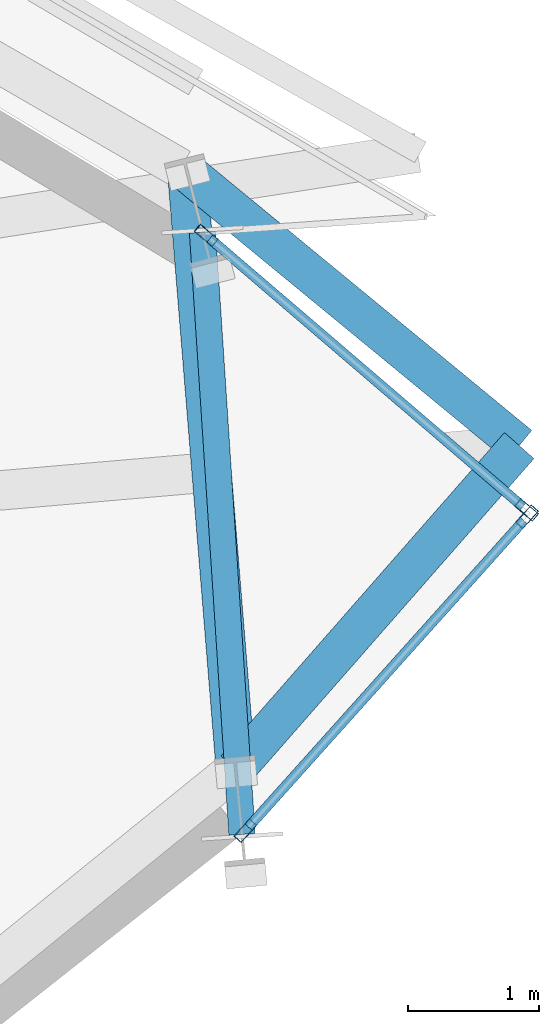
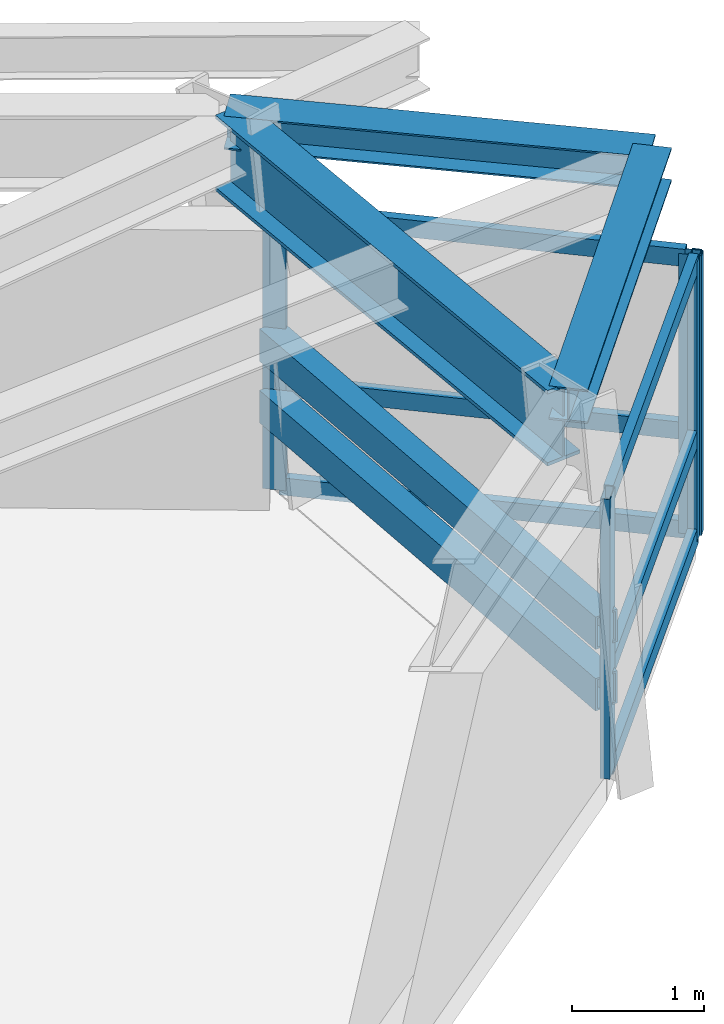
# One storey, part 8 of 22: 12 members, 3 beams, 2 elements without a shape of their own.
"""IFC4 building model written with IfcOpenShell, lengths in metres."""

from ifc_helpers import new_model, si_unit, direction, frame, origin, origin_2d, place, context, subcontext, project, spatial, hollow_rectangle, i_section, extrude, source, transform, mapped, material, material_profile, profile_set, type_object, element, aggregate, save


model = new_model("IFC4")

# Units and contexts
model_context = context("Model", 3, precision=1e-05, world=origin(), true_north=direction((0.0, 1.0)))
body_context = subcontext(model_context, "Body", "Model", "MODEL_VIEW")
ifc_project = project(units=[si_unit("LENGTHUNIT", "METRE"), si_unit("AREAUNIT", "SQUARE_METRE"), si_unit("VOLUMEUNIT", "CUBIC_METRE"), si_unit("PLANEANGLEUNIT", "RADIAN"), si_unit("MASSUNIT", "GRAM", prefix="KILO")], contexts=[model_context])

# Site, building, storey
site_placement = place(None, origin())
site = spatial("IfcSite", under=ifc_project, at=site_placement, CompositionType="ELEMENT")
building_placement = place(site_placement, origin())
building = spatial("IfcBuilding", under=site, at=building_placement, Name="Olszyna Solenne Hotel", CompositionType="ELEMENT")
storey_placement = place(building_placement, frame((0.0, 0.0, 50.60009765625)))
storey = spatial("IfcBuildingStorey", under=building, at=storey_placement, Name="L12", CompositionType="ELEMENT", Elevation=50.60009765625)

# Beams
ifc_material_1 = material(Name="Steel S355J2", Category="steel")
ifc_material_profile_1 = material_profile(ifc_material_1, i_section(OverallWidth=0.300048828125, OverallDepth=0.699951171875, WebThickness=0.01708984375, FlangeThickness=0.031982421875, at=origin_2d()), Name="HEB 700", Category="load-bearing")
ifc_profile_set_1 = profile_set([ifc_material_profile_1], Name="Steel S355J2")
beam_type_1 = type_object("IfcBeamType", Name="BM-S1", PredefinedType="BEAM", material=ifc_profile_set_1)
shared_shape_1 = source(origin(), body_context, "Body", "SweptSolid", [
    extrude(i_section(OverallWidth=0.300048828125, OverallDepth=0.699951171875, WebThickness=0.01708984375, FlangeThickness=0.031982421875, at=origin_2d()), origin(), (0.0, 0.0, 1.0), 4.434814453125),
])
beam_placement = place(storey_placement, frame((68.744140625, 27.046142578125, 2.949951171875), z_axis=(-0.081090803399, 0.996706717949, 0.0), x_axis=(-0.996706717949, -0.081090803399, 0.0)))
element("IfcBeam", 1, at=beam_placement, inside=storey, type_object=beam_type_1, Name="Perimeter spandrel beam BM-S1 B-L12-0377", PredefinedType="BEAM", context=body_context, shape_type="MappedRepresentation", body=[
    mapped(shared_shape_1, transform((0.0, 0.0, 0.0), x_axis=(1.0, 0.0, 0.0), y_axis=(0.0, 1.0, 0.0), z_axis=(0.0, 0.0, 1.0), scale=1.0)),
])
ifc_material_profile_2 = material_profile(ifc_material_1, i_section(OverallWidth=0.300048828125, OverallDepth=0.31005859375, WebThickness=0.009033203125, FlangeThickness=0.015380859375, at=origin_2d()), Name="HEA 320", Category="load-bearing")
ifc_profile_set_2 = profile_set([ifc_material_profile_2], Name="Steel S355J2")
beam_type_2 = type_object("IfcBeamType", Name="BM-G3", PredefinedType="BEAM", material=ifc_profile_set_2)
shared_shape_2 = source(origin(), body_context, "Body", "SweptSolid", [
    extrude(i_section(OverallWidth=0.300048828125, OverallDepth=0.31005859375, WebThickness=0.009033203125, FlangeThickness=0.015380859375, at=origin_2d()), origin(), (0.0, 0.0, 1.0), 3.2724609375),
])
for number, where, z_axis, x_axis, name in (
    (2, (68.7490234375, 26.986328125, 3.14501953125), (0.659296523032, 0.751883032604, 0.0), (-0.751883032604, 0.659296523032, 0.0), "Prism side edge beam BM-G3 B-L12-0398"),
    (3, (68.379638671875, 31.526123046875, 3.14501953125), (0.772169227006, -0.635416937817, 0.0), (0.635416937817, 0.772169227006, 0.0), "Prism side edge beam BM-G3 B-L12-0399"),
):
    element("IfcBeam", number, at=place(storey_placement, frame(where, z_axis=z_axis, x_axis=x_axis)), inside=storey, type_object=beam_type_2, Name=name, PredefinedType="BEAM", context=body_context, shape_type="MappedRepresentation", body=[
        mapped(shared_shape_2, transform((0.0, 0.0, 0.0), x_axis=(1.0, 0.0, 0.0), y_axis=(0.0, 1.0, 0.0), z_axis=(0.0, 0.0, 1.0), scale=1.0)),
    ])

# Members
ifc_material_profile_3 = material_profile(ifc_material_1, hollow_rectangle(XDim=0.199951171875, YDim=0.300048828125, WallThickness=0.01611328125, at=origin_2d()), Name="RHS 300x200x16", Category="load-bearing")
ifc_profile_set_3 = profile_set([ifc_material_profile_3], Name="Steel S355J2")
member_type_1 = type_object("IfcMemberType", Name="CH-PR1", PredefinedType="CHORD", material=ifc_profile_set_3)
shared_shape_3 = source(origin(), body_context, "Body", "SweptSolid", [
    extrude(hollow_rectangle(XDim=0.199951171875, YDim=0.300048828125, WallThickness=0.01611328125, at=origin_2d()), origin(), (0.0, 0.0, 1.0), 4.593017578125),
])
for number, where, z_axis, x_axis, name in (
    (4, (68.79638671875, 26.487548828125, 1.349853515625), (-0.065432374917, 0.997857005945, 0.0), (-0.997857005945, -0.065432374917, 0.0), "Glass-prism tie chord CH-PR1 M-L12-PR1"),
    (5, (68.79638671875, 26.487548828125, 0.77978515625), (-0.065432374917, 0.997857005945, 0.0), (-0.997857005945, -0.065432374917, 0.0), "Glass-prism tie chord CH-PR1 M-L12-PR2"),
):
    element("IfcMember", number, at=place(storey_placement, frame(where, z_axis=z_axis, x_axis=x_axis)), inside=storey, type_object=member_type_1, Name=name, PredefinedType="CHORD", context=body_context, shape_type="MappedRepresentation", body=[
        mapped(shared_shape_3, transform((0.0, 0.0, 0.0), x_axis=(1.0, 0.0, 0.0), y_axis=(0.0, 1.0, 0.0), z_axis=(0.0, 0.0, 1.0), scale=1.0)),
    ])

# Curtain wall, members
ifc_material_2 = material(Name="Anodised bronze aluminium", Category="aluminium")
curtain_wall_type = type_object("IfcCurtainWallType", Name="CW-SYS-5", PredefinedType="NOTDEFINED", material=ifc_material_2)
curtain_wall_1_placement = place(storey_placement, origin())
curtain_wall_1 = element("IfcCurtainWall", 6, at=curtain_wall_1_placement, inside=storey, type_object=curtain_wall_type, Name="Unitised curtain wall CW-SYS-5 CW-L12-03", PredefinedType="NOTDEFINED")
ifc_material_profile_4 = material_profile(ifc_material_2, hollow_rectangle(XDim=0.074951171875, YDim=0.179931640625, WallThickness=0.00439453125, at=origin_2d()), Name="MULL 180x75x4.5", Category="load-bearing")
ifc_profile_set_4 = profile_set([ifc_material_profile_4], Name="Anodised bronze aluminium")
member_type_2 = type_object("IfcMemberType", Name="CW-M2", PredefinedType="MULLION", material=ifc_profile_set_4)
shared_shape_4 = source(origin(), body_context, "Body", "SweptSolid", [
    extrude(hollow_rectangle(XDim=0.074951171875, YDim=0.179931640625, WallThickness=0.00439453125, at=origin_2d()), origin(), (0.0, 0.0, 1.0), 2.591796875),
])
member_1_placement = place(storey_placement, frame((68.5244140625, 31.04638671875, 0.0), z_axis=(0.0, 0.0, 1.0), x_axis=(0.650643488815, 0.75938333565, 0.0)))
member_1 = element("IfcMember", 7, at=member_1_placement, type_object=member_type_2, Name="Curtain-wall mullion CW-M2 CM-L12-03-01", PredefinedType="MULLION", context=body_context, shape_type="MappedRepresentation", body=[
    mapped(shared_shape_4, transform((0.0, 0.0, 0.0), x_axis=(1.0, 0.0, 0.0), y_axis=(0.0, 1.0, 0.0), z_axis=(0.0, 0.0, 1.0), scale=1.0)),
])
member_2_placement = place(storey_placement, frame((70.962646484375, 28.957275390625, 0.0), z_axis=(0.0, 0.0, 1.0), x_axis=(0.650643488815, 0.75938333565, 0.0)))
member_2 = element("IfcMember", 8, at=member_2_placement, type_object=member_type_2, Name="Curtain-wall mullion CW-M2 CM-L12-03-02", PredefinedType="MULLION", context=body_context, shape_type="MappedRepresentation", body=[
    mapped(shared_shape_4, transform((0.0, 0.0, 0.0), x_axis=(1.0, 0.0, 0.0), y_axis=(0.0, 1.0, 0.0), z_axis=(0.0, 0.0, 1.0), scale=1.0)),
])

curtain_wall_2_placement = place(storey_placement, origin())
curtain_wall_2 = element("IfcCurtainWall", 9, at=curtain_wall_2_placement, inside=storey, type_object=curtain_wall_type, Name="Unitised curtain wall CW-SYS-5 CW-L12-04", PredefinedType="NOTDEFINED")
member_3_placement = place(storey_placement, frame((68.821533203125, 26.515380859375, 0.0), z_axis=(0.0, 0.0, 1.0), x_axis=(-0.744225603666, 0.667928327628, 0.0)))
member_3 = element("IfcMember", 10, at=member_3_placement, type_object=member_type_2, Name="Curtain-wall mullion CW-M2 CM-L12-04-01", PredefinedType="MULLION", context=body_context, shape_type="MappedRepresentation", body=[
    mapped(shared_shape_4, transform((0.0, 0.0, 0.0), x_axis=(1.0, 0.0, 0.0), y_axis=(0.0, 1.0, 0.0), z_axis=(0.0, 0.0, 1.0), scale=1.0)),
])
member_4_placement = place(storey_placement, frame((70.966064453125, 28.905029296875, 0.0), z_axis=(0.0, 0.0, 1.0), x_axis=(-0.744225603666, 0.667928327628, 0.0)))
member_4 = element("IfcMember", 11, at=member_4_placement, type_object=member_type_2, Name="Curtain-wall mullion CW-M2 CM-L12-04-02", PredefinedType="MULLION", context=body_context, shape_type="MappedRepresentation", body=[
    mapped(shared_shape_4, transform((0.0, 0.0, 0.0), x_axis=(1.0, 0.0, 0.0), y_axis=(0.0, 1.0, 0.0), z_axis=(0.0, 0.0, 1.0), scale=1.0)),
])

# Member
ifc_material_profile_5 = material_profile(ifc_material_2, hollow_rectangle(XDim=0.074951171875, YDim=0.159912109375, WallThickness=0.00390625, at=origin_2d()), Name="TRAN 160x75x4", Category="load-bearing")
ifc_profile_set_5 = profile_set([ifc_material_profile_5], Name="Anodised bronze aluminium")
member_type_3 = type_object("IfcMemberType", Name="CW-T1", PredefinedType="USERDEFINED", material=ifc_profile_set_5)
shared_shape_5 = source(origin(), body_context, "Body", "SweptSolid", [
    extrude(hollow_rectangle(XDim=0.074951171875, YDim=0.159912109375, WallThickness=0.00390625, at=origin_2d()), origin(), (0.0, 0.0, 1.0), 3.1357421875),
])
member_5_placement = place(storey_placement, frame((68.552734375, 31.02197265625, 0.037353515625), z_axis=(0.759393975954, -0.650631070027, 0.0), x_axis=(0.650631070027, 0.759393975954, 0.0)))
member_5 = element("IfcMember", 12, at=member_5_placement, type_object=member_type_3, Name="Curtain-wall transom CW-T1 CT-L12-03-01", ObjectType="TRANSOM", PredefinedType="USERDEFINED", context=body_context, shape_type="MappedRepresentation", body=[
    mapped(shared_shape_5, transform((0.0, 0.0, 0.0), x_axis=(1.0, 0.0, 0.0), y_axis=(0.0, 1.0, 0.0), z_axis=(0.0, 0.0, 1.0), scale=1.0)),
])

member_6_placement = place(storey_placement, frame((68.552734375, 31.02197265625, 0.949951171875), z_axis=(0.759393975954, -0.650631070027, 0.0), x_axis=(0.650631070027, 0.759393975954, 0.0)))
member_6 = element("IfcMember", 13, at=member_6_placement, type_object=member_type_3, Name="Curtain-wall transom CW-T1 CT-L12-03-02", ObjectType="TRANSOM", PredefinedType="USERDEFINED", context=body_context, shape_type="MappedRepresentation", body=[
    mapped(shared_shape_5, transform((0.0, 0.0, 0.0), x_axis=(1.0, 0.0, 0.0), y_axis=(0.0, 1.0, 0.0), z_axis=(0.0, 0.0, 1.0), scale=1.0)),
])

member_7_placement = place(storey_placement, frame((68.552734375, 31.02197265625, 2.554443359375), z_axis=(0.759393975954, -0.650631070027, 0.0), x_axis=(0.650631070027, 0.759393975954, 0.0)))
member_7 = element("IfcMember", 14, at=member_7_placement, type_object=member_type_3, Name="Curtain-wall transom CW-T1 CT-L12-03-03", ObjectType="TRANSOM", PredefinedType="USERDEFINED", context=body_context, shape_type="MappedRepresentation", body=[
    mapped(shared_shape_5, transform((0.0, 0.0, 0.0), x_axis=(1.0, 0.0, 0.0), y_axis=(0.0, 1.0, 0.0), z_axis=(0.0, 0.0, 1.0), scale=1.0)),
])

aggregate(curtain_wall_1, [member_1, member_2, member_5, member_6, member_7])

shared_shape_6 = source(origin(), body_context, "Body", "SweptSolid", [
    extrude(hollow_rectangle(XDim=0.074951171875, YDim=0.159912109375, WallThickness=0.00390625, at=origin_2d()), origin(), (0.0, 0.0, 1.0), 3.135986328125),
])
member_8_placement = place(storey_placement, frame((68.846435546875, 26.543212890625, 0.037353515625), z_axis=(0.667888733491, 0.74426113675, 0.0), x_axis=(-0.74426113675, 0.667888733491, 0.0)))
member_8 = element("IfcMember", 15, at=member_8_placement, type_object=member_type_3, Name="Curtain-wall transom CW-T1 CT-L12-04-01", ObjectType="TRANSOM", PredefinedType="USERDEFINED", context=body_context, shape_type="MappedRepresentation", body=[
    mapped(shared_shape_6, transform((0.0, 0.0, 0.0), x_axis=(1.0, 0.0, 0.0), y_axis=(0.0, 1.0, 0.0), z_axis=(0.0, 0.0, 1.0), scale=1.0)),
])

member_9_placement = place(storey_placement, frame((68.846435546875, 26.543212890625, 0.949951171875), z_axis=(0.667888733491, 0.74426113675, 0.0), x_axis=(-0.74426113675, 0.667888733491, 0.0)))
member_9 = element("IfcMember", 16, at=member_9_placement, type_object=member_type_3, Name="Curtain-wall transom CW-T1 CT-L12-04-02", ObjectType="TRANSOM", PredefinedType="USERDEFINED", context=body_context, shape_type="MappedRepresentation", body=[
    mapped(shared_shape_6, transform((0.0, 0.0, 0.0), x_axis=(1.0, 0.0, 0.0), y_axis=(0.0, 1.0, 0.0), z_axis=(0.0, 0.0, 1.0), scale=1.0)),
])

member_10_placement = place(storey_placement, frame((68.846435546875, 26.543212890625, 2.554443359375), z_axis=(0.667888733491, 0.74426113675, 0.0), x_axis=(-0.74426113675, 0.667888733491, 0.0)))
member_10 = element("IfcMember", 17, at=member_10_placement, type_object=member_type_3, Name="Curtain-wall transom CW-T1 CT-L12-04-03", ObjectType="TRANSOM", PredefinedType="USERDEFINED", context=body_context, shape_type="MappedRepresentation", body=[
    mapped(shared_shape_6, transform((0.0, 0.0, 0.0), x_axis=(1.0, 0.0, 0.0), y_axis=(0.0, 1.0, 0.0), z_axis=(0.0, 0.0, 1.0), scale=1.0)),
])

aggregate(curtain_wall_2, [member_3, member_4, member_8, member_9, member_10])

save(model, "model.ifc")
